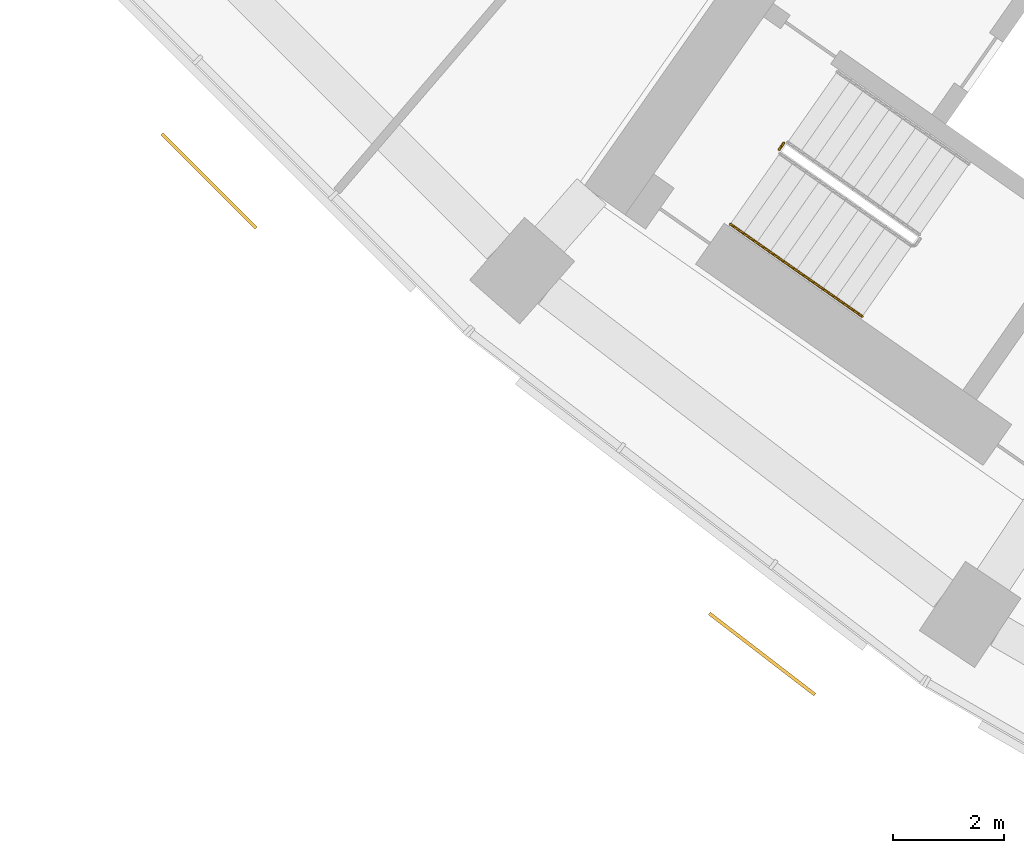
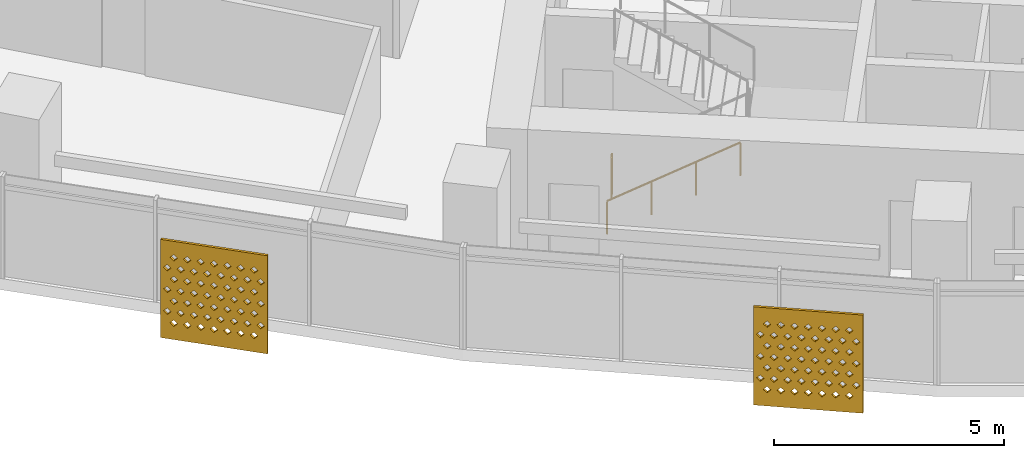
# One storey, part 23 of 29: 2 railings, 2 shading devices.
"""IFC4 building model written with IfcOpenShell, lengths in metres."""

import ifcopenshell
import ifcopenshell.guid

model = None  # the IFC model being written
_history = None  # IfcOwnerHistory: only IFC2X3 demands one
_inside = {}  # id of a spatial element -> (the spatial element, [elements in it])
_under = {}  # id of a project, library or spatial element -> (it, [spatial elements below it])
_declared = {}  # id of a project -> (the project, [libraries it declares])
_typed = {}  # id of a type object -> (the type object, [elements of that type])
_made_of = {}  # id of a material, layer set ... -> (it, [elements and type objects made of it])


def new_model(schema):
    """Start an empty IFC model of exactly this schema.

    Asked for "IFC4X3", IfcOpenShell would pick the latest addendum, in which some entities
    have other attributes; the version numbers below select the first issue.
    IFC2X3 requires an IfcOwnerHistory on every rooted entity: one is made here for all.
    """
    global model, _history
    if schema == "IFC4X3":
        model = ifcopenshell.file(schema_version=(4, 3, 0, 0))
    else:
        model = ifcopenshell.file(schema=schema)
    _inside.clear()
    _under.clear()
    _declared.clear()
    _typed.clear()
    _made_of.clear()
    _history = None
    if model.schema == "IFC2X3":
        org = make("IfcOrganization", Name="unknown")
        user = make(
            "IfcPersonAndOrganization",
            ThePerson=make("IfcPerson", FamilyName="unknown"),
            TheOrganization=org,
        )
        app = make(
            "IfcApplication",
            ApplicationDeveloper=org,
            Version="unknown",
            ApplicationFullName="unknown",
            ApplicationIdentifier="unknown",
        )
        _history = make(
            "IfcOwnerHistory",
            OwningUser=user,
            OwningApplication=app,
            ChangeAction="ADDED",
            CreationDate=0,
        )
    return model


def make(cls, **values):
    """One entity of the class cls with the attributes given. An attribute that is None is left unset."""
    return model.create_entity(
        cls, **{name: value for name, value in values.items() if value is not None}
    )


def rooted(cls, **values):
    """An entity with a GlobalId (a new one), such as an element, a storey or a relation."""
    return make(cls, GlobalId=ifcopenshell.guid.new(), OwnerHistory=_history, **values)


def si_unit(unit_type, name, prefix=None):
    """IfcSIUnit, for example si_unit("LENGTHUNIT", "METRE", prefix="MILLI")."""
    return make("IfcSIUnit", UnitType=unit_type, Prefix=prefix, Name=name)


def assignment(units):
    """IfcUnitAssignment: the units of a project."""
    return None if units is None else make("IfcUnitAssignment", Units=units)


def point(xyz):
    """IfcCartesianPoint."""
    return None if xyz is None else make("IfcCartesianPoint", Coordinates=xyz)


def direction(xyz):
    """IfcDirection."""
    return None if xyz is None else make("IfcDirection", DirectionRatios=xyz)


def frame(location, z_axis=None, x_axis=None):
    """IfcAxis2Placement3D, a coordinate frame: its origin and axes. An axis left out is left unset."""
    return make(
        "IfcAxis2Placement3D",
        Location=point(location),
        Axis=direction(z_axis),
        RefDirection=direction(x_axis),
    )


def frame_2d(location, x_axis=None):
    """IfcAxis2Placement2D, a coordinate frame in the plane: its origin and x axis."""
    return make(
        "IfcAxis2Placement2D", Location=point(location), RefDirection=direction(x_axis)
    )


def origin():
    """The frame at (0, 0, 0) with its axes left unset."""
    return frame((0.0, 0.0, 0.0))


def origin_2d():
    """The frame at (0, 0) in the plane with its x axis left unset."""
    return frame_2d((0.0, 0.0))


def place(relative_to, where):
    """IfcLocalPlacement: puts the frame where relative to a parent placement (None: the world)."""
    return make(
        "IfcLocalPlacement", PlacementRelTo=relative_to, RelativePlacement=where
    )


def context(
    kind, dimensions, precision=None, world=None, true_north=None, identifier=None
):
    """IfcGeometricRepresentationContext, for example the 3D "Model" context."""
    return make(
        "IfcGeometricRepresentationContext",
        ContextIdentifier=identifier,
        ContextType=kind,
        CoordinateSpaceDimension=dimensions,
        Precision=precision,
        WorldCoordinateSystem=world,
        TrueNorth=true_north,
    )


def subcontext(parent, identifier, kind, view, scale=None):
    """IfcGeometricRepresentationSubContext, for example "Body" below "Model"."""
    return make(
        "IfcGeometricRepresentationSubContext",
        ContextIdentifier=identifier,
        ContextType=kind,
        ParentContext=parent,
        TargetScale=scale,
        TargetView=view,
    )


def project(units=None, contexts=None):
    """IfcProject with its units and contexts."""
    return rooted(
        "IfcProject",
        Name="project",
        RepresentationContexts=contexts,
        UnitsInContext=assignment(units),
    )


def spatial(cls, under=None, at=None, **own):
    """A site, building, storey or space (cls), placed at a placement, below another one or the project."""
    s = rooted(cls, ObjectPlacement=at, **own)
    if under is not None:
        _under.setdefault(under.id(), (under, []))[1].append(s)
    return s


def polyline(points):
    """IfcPolyline through the points."""
    return make("IfcPolyline", Points=[point(p) for p in points])


def profile(cls, at=None, kind="AREA", **sizes):
    """A parametric profile (cls). Its sizes go by their IFC names, for example OverallWidth=200.0."""
    return make(cls, ProfileType=kind, Position=at, **sizes)


def circle(**sizes):
    """IfcCircleProfileDef."""
    return profile("IfcCircleProfileDef", **sizes)


def outline(outer, holes=None, kind="AREA"):
    """IfcArbitraryClosedProfileDef: a profile drawn as a closed curve; with holes, ...WithVoids."""
    if holes is None:
        return make("IfcArbitraryClosedProfileDef", ProfileType=kind, OuterCurve=outer)
    return make(
        "IfcArbitraryProfileDefWithVoids",
        ProfileType=kind,
        OuterCurve=outer,
        InnerCurves=holes,
    )


def extrude(swept, where, along, depth):
    """IfcExtrudedAreaSolid: the profile swept, set in the frame where, extruded along a direction by depth."""
    return make(
        "IfcExtrudedAreaSolid",
        SweptArea=swept,
        Position=where,
        ExtrudedDirection=direction(along),
        Depth=depth,
    )


def shape(context_of_items, identifier, shape_type, items):
    """IfcShapeRepresentation: the items that make up one representation, for example the "Body"."""
    return make(
        "IfcShapeRepresentation",
        ContextOfItems=context_of_items,
        RepresentationIdentifier=identifier,
        RepresentationType=shape_type,
        Items=items,
    )


def material(Name=None, Category=None):
    """IfcMaterial."""
    return make("IfcMaterial", Name=Name, Category=Category)


def material_profile(
    of_material, cross_section, Name=None, Category=None, Priority=None
):
    """IfcMaterialProfile: a cross section and its material."""
    return make(
        "IfcMaterialProfile",
        Name=Name,
        Material=of_material,
        Profile=cross_section,
        Priority=Priority,
        Category=Category,
    )


def profile_set(profiles, Name=None, composite=None):
    """IfcMaterialProfileSet."""
    return make(
        "IfcMaterialProfileSet",
        Name=Name,
        MaterialProfiles=profiles,
        CompositeProfile=composite,
    )


def made_of(thing, what):
    """Note that an element or type object is made of a material, layer set ...; save() writes the relation."""
    if what is not None:
        _made_of.setdefault(what.id(), (what, []))[1].append(thing)
    return thing


def type_object(cls, material=None, **own):
    """A type object (cls), such as IfcWallType, which elements share."""
    return made_of(rooted(cls, **own), material)


def element(
    cls,
    number,
    at=None,
    inside=None,
    cuts=None,
    type_object=None,
    material=None,
    context=None,
    identifier="Body",
    shape_type=None,
    held_by="IfcProductDefinitionShape",
    body=None,
    shapes=None,
    **own,
):
    """One element of the class cls, such as IfcWall. Its Tag is "e" and its number.

    at: its placement. inside: the storey or other place that contains it. cuts: it is an
    opening in that element (IfcRelVoidsElement). A single representation is given by context,
    identifier, shape_type and body (its items); several are given by shapes. held_by: the class
    of the entity that holds the representations. save() writes the other relations.
    """
    e = rooted(cls, Tag="e%d" % number, ObjectPlacement=at, **own)
    if body is not None:
        shapes = [shape(context, identifier, shape_type, body)]
    if shapes is not None:
        e.Representation = make(held_by, Representations=shapes)
    if inside is not None:
        _inside.setdefault(inside.id(), (inside, []))[1].append(e)
    if cuts is not None:
        rooted(
            "IfcRelVoidsElement", RelatingBuildingElement=cuts, RelatedOpeningElement=e
        )
    if type_object is not None:
        _typed.setdefault(type_object.id(), (type_object, []))[1].append(e)
    return made_of(e, material)


def aggregate(whole, parts):
    """IfcRelAggregates: a whole, such as a stair, and the parts it consists of."""
    return rooted("IfcRelAggregates", RelatingObject=whole, RelatedObjects=parts)


def save(model, path):
    """Write the relations noted so far, then the file.

    IfcRelAggregates (storeys below a building ...), IfcRelContainedInSpatialStructure (elements
    in a storey), IfcRelDefinesByType, IfcRelAssociatesMaterial and IfcRelDeclares: one each for
    every whole, place, type object, material and project.
    """
    for whole, parts in _under.values():
        aggregate(whole, parts)
    for where, things in _inside.values():
        rooted(
            "IfcRelContainedInSpatialStructure",
            RelatedElements=things,
            RelatingStructure=where,
        )
    for kind, things in _typed.values():
        rooted("IfcRelDefinesByType", RelatedObjects=things, RelatingType=kind)
    for what, things in _made_of.values():
        rooted("IfcRelAssociatesMaterial", RelatedObjects=things, RelatingMaterial=what)
    for by, libraries in _declared.values():
        rooted("IfcRelDeclares", RelatingContext=by, RelatedDefinitions=libraries)
    model.write(path)


model = new_model("IFC4")

# Units and contexts
model_context = context("Model", 3, precision=1e-05, world=origin(), true_north=direction((0.0, 1.0)))
body_context = subcontext(model_context, "Body", "Model", "MODEL_VIEW")
ifc_project = project(units=[si_unit("LENGTHUNIT", "METRE"), si_unit("AREAUNIT", "SQUARE_METRE"), si_unit("VOLUMEUNIT", "CUBIC_METRE"), si_unit("PLANEANGLEUNIT", "RADIAN"), si_unit("MASSUNIT", "GRAM", prefix="KILO")], contexts=[model_context])

# Site, building, storey
site_placement = place(None, origin())
site = spatial("IfcSite", under=ifc_project, at=site_placement, CompositionType="ELEMENT")
building_placement = place(site_placement, origin())
building = spatial("IfcBuilding", under=site, at=building_placement, Name="Qamariyya Broadcast Tower", CompositionType="ELEMENT")
storey_placement = place(building_placement, frame((0.0, 0.0, 113.89990234375)))
storey = spatial("IfcBuildingStorey", under=building, at=storey_placement, Name="L25", CompositionType="ELEMENT", Elevation=113.89990234375)

# Shading devices
ifc_material_1 = material(Name="Perforated glazed terracotta", Category="masonry")
ifc_material_profile = material_profile(ifc_material_1, outline(polyline([(-1.199951171875, -1.300048828125), (1.199951171875, -1.300048828125), (1.199951171875, 1.300048828125), (-1.199951171875, 1.300048828125), (-1.199951171875, -1.300048828125)]), holes=[polyline([(-0.81494140625, -0.86669921875), (-0.89990234375, -0.78173828125), (-0.985107421875, -0.86669921875), (-0.89990234375, -0.95166015625), (-0.81494140625, -0.86669921875)]), polyline([(-0.514892578125, -0.86669921875), (-0.60009765625, -0.78173828125), (-0.68505859375, -0.86669921875), (-0.60009765625, -0.95166015625), (-0.514892578125, -0.86669921875)]), polyline([(-0.215087890625, -0.86669921875), (-0.300048828125, -0.78173828125), (-0.385009765625, -0.86669921875), (-0.300048828125, -0.95166015625), (-0.215087890625, -0.86669921875)]), polyline([(0.0849609375, -0.86669921875), (0.0, -0.78173828125), (-0.0849609375, -0.86669921875), (0.0, -0.95166015625), (0.0849609375, -0.86669921875)]), polyline([(0.385009765625, -0.86669921875), (0.300048828125, -0.78173828125), (0.215087890625, -0.86669921875), (0.300048828125, -0.95166015625), (0.385009765625, -0.86669921875)]), polyline([(0.68505859375, -0.86669921875), (0.60009765625, -0.78173828125), (0.514892578125, -0.86669921875), (0.60009765625, -0.95166015625), (0.68505859375, -0.86669921875)]), polyline([(0.985107421875, -0.86669921875), (0.89990234375, -0.78173828125), (0.81494140625, -0.86669921875), (0.89990234375, -0.95166015625), (0.985107421875, -0.86669921875)]), polyline([(-0.965087890625, -0.577880859375), (-1.050048828125, -0.49267578125), (-1.135009765625, -0.577880859375), (-1.050048828125, -0.662841796875), (-0.965087890625, -0.577880859375)]), polyline([(-0.6650390625, -0.577880859375), (-0.75, -0.49267578125), (-0.8349609375, -0.577880859375), (-0.75, -0.662841796875), (-0.6650390625, -0.577880859375)]), polyline([(-0.364990234375, -0.577880859375), (-0.449951171875, -0.49267578125), (-0.534912109375, -0.577880859375), (-0.449951171875, -0.662841796875), (-0.364990234375, -0.577880859375)]), polyline([(-0.06494140625, -0.577880859375), (-0.14990234375, -0.49267578125), (-0.235107421875, -0.577880859375), (-0.14990234375, -0.662841796875), (-0.06494140625, -0.577880859375)]), polyline([(0.235107421875, -0.577880859375), (0.14990234375, -0.49267578125), (0.06494140625, -0.577880859375), (0.14990234375, -0.662841796875), (0.235107421875, -0.577880859375)]), polyline([(0.534912109375, -0.577880859375), (0.449951171875, -0.49267578125), (0.364990234375, -0.577880859375), (0.449951171875, -0.662841796875), (0.534912109375, -0.577880859375)]), polyline([(0.8349609375, -0.577880859375), (0.75, -0.49267578125), (0.6650390625, -0.577880859375), (0.75, -0.662841796875), (0.8349609375, -0.577880859375)]), polyline([(1.135009765625, -0.577880859375), (1.050048828125, -0.49267578125), (0.965087890625, -0.577880859375), (1.050048828125, -0.662841796875), (1.135009765625, -0.577880859375)]), polyline([(-0.81494140625, -0.288818359375), (-0.89990234375, -0.203857421875), (-0.985107421875, -0.288818359375), (-0.89990234375, -0.373779296875), (-0.81494140625, -0.288818359375)]), polyline([(-0.514892578125, -0.288818359375), (-0.60009765625, -0.203857421875), (-0.68505859375, -0.288818359375), (-0.60009765625, -0.373779296875), (-0.514892578125, -0.288818359375)]), polyline([(-0.215087890625, -0.288818359375), (-0.300048828125, -0.203857421875), (-0.385009765625, -0.288818359375), (-0.300048828125, -0.373779296875), (-0.215087890625, -0.288818359375)]), polyline([(0.0849609375, -0.288818359375), (0.0, -0.203857421875), (-0.0849609375, -0.288818359375), (0.0, -0.373779296875), (0.0849609375, -0.288818359375)]), polyline([(0.385009765625, -0.288818359375), (0.300048828125, -0.203857421875), (0.215087890625, -0.288818359375), (0.300048828125, -0.373779296875), (0.385009765625, -0.288818359375)]), polyline([(0.68505859375, -0.288818359375), (0.60009765625, -0.203857421875), (0.514892578125, -0.288818359375), (0.60009765625, -0.373779296875), (0.68505859375, -0.288818359375)]), polyline([(0.985107421875, -0.288818359375), (0.89990234375, -0.203857421875), (0.81494140625, -0.288818359375), (0.89990234375, -0.373779296875), (0.985107421875, -0.288818359375)]), polyline([(-0.965087890625, 0.0), (-1.050048828125, 0.0849609375), (-1.135009765625, 0.0), (-1.050048828125, -0.0849609375), (-0.965087890625, 0.0)]), polyline([(-0.6650390625, 0.0), (-0.75, 0.0849609375), (-0.8349609375, 0.0), (-0.75, -0.0849609375), (-0.6650390625, 0.0)]), polyline([(-0.364990234375, 0.0), (-0.449951171875, 0.0849609375), (-0.534912109375, 0.0), (-0.449951171875, -0.0849609375), (-0.364990234375, 0.0)]), polyline([(-0.06494140625, 0.0), (-0.14990234375, 0.0849609375), (-0.235107421875, 0.0), (-0.14990234375, -0.0849609375), (-0.06494140625, 0.0)]), polyline([(0.235107421875, 0.0), (0.14990234375, 0.0849609375), (0.06494140625, 0.0), (0.14990234375, -0.0849609375), (0.235107421875, 0.0)]), polyline([(0.534912109375, 0.0), (0.449951171875, 0.0849609375), (0.364990234375, 0.0), (0.449951171875, -0.0849609375), (0.534912109375, 0.0)]), polyline([(0.8349609375, 0.0), (0.75, 0.0849609375), (0.6650390625, 0.0), (0.75, -0.0849609375), (0.8349609375, 0.0)]), polyline([(1.135009765625, 0.0), (1.050048828125, 0.0849609375), (0.965087890625, 0.0), (1.050048828125, -0.0849609375), (1.135009765625, 0.0)]), polyline([(-0.81494140625, 0.288818359375), (-0.89990234375, 0.373779296875), (-0.985107421875, 0.288818359375), (-0.89990234375, 0.203857421875), (-0.81494140625, 0.288818359375)]), polyline([(-0.514892578125, 0.288818359375), (-0.60009765625, 0.373779296875), (-0.68505859375, 0.288818359375), (-0.60009765625, 0.203857421875), (-0.514892578125, 0.288818359375)]), polyline([(-0.215087890625, 0.288818359375), (-0.300048828125, 0.373779296875), (-0.385009765625, 0.288818359375), (-0.300048828125, 0.203857421875), (-0.215087890625, 0.288818359375)]), polyline([(0.0849609375, 0.288818359375), (0.0, 0.373779296875), (-0.0849609375, 0.288818359375), (0.0, 0.203857421875), (0.0849609375, 0.288818359375)]), polyline([(0.385009765625, 0.288818359375), (0.300048828125, 0.373779296875), (0.215087890625, 0.288818359375), (0.300048828125, 0.203857421875), (0.385009765625, 0.288818359375)]), polyline([(0.68505859375, 0.288818359375), (0.60009765625, 0.373779296875), (0.514892578125, 0.288818359375), (0.60009765625, 0.203857421875), (0.68505859375, 0.288818359375)]), polyline([(0.985107421875, 0.288818359375), (0.89990234375, 0.373779296875), (0.81494140625, 0.288818359375), (0.89990234375, 0.203857421875), (0.985107421875, 0.288818359375)]), polyline([(-0.965087890625, 0.577880859375), (-1.050048828125, 0.662841796875), (-1.135009765625, 0.577880859375), (-1.050048828125, 0.49267578125), (-0.965087890625, 0.577880859375)]), polyline([(-0.6650390625, 0.577880859375), (-0.75, 0.662841796875), (-0.8349609375, 0.577880859375), (-0.75, 0.49267578125), (-0.6650390625, 0.577880859375)]), polyline([(-0.364990234375, 0.577880859375), (-0.449951171875, 0.662841796875), (-0.534912109375, 0.577880859375), (-0.449951171875, 0.49267578125), (-0.364990234375, 0.577880859375)]), polyline([(-0.06494140625, 0.577880859375), (-0.14990234375, 0.662841796875), (-0.235107421875, 0.577880859375), (-0.14990234375, 0.49267578125), (-0.06494140625, 0.577880859375)]), polyline([(0.235107421875, 0.577880859375), (0.14990234375, 0.662841796875), (0.06494140625, 0.577880859375), (0.14990234375, 0.49267578125), (0.235107421875, 0.577880859375)]), polyline([(0.534912109375, 0.577880859375), (0.449951171875, 0.662841796875), (0.364990234375, 0.577880859375), (0.449951171875, 0.49267578125), (0.534912109375, 0.577880859375)]), polyline([(0.8349609375, 0.577880859375), (0.75, 0.662841796875), (0.6650390625, 0.577880859375), (0.75, 0.49267578125), (0.8349609375, 0.577880859375)]), polyline([(1.135009765625, 0.577880859375), (1.050048828125, 0.662841796875), (0.965087890625, 0.577880859375), (1.050048828125, 0.49267578125), (1.135009765625, 0.577880859375)]), polyline([(-0.81494140625, 0.86669921875), (-0.89990234375, 0.95166015625), (-0.985107421875, 0.86669921875), (-0.89990234375, 0.78173828125), (-0.81494140625, 0.86669921875)]), polyline([(-0.514892578125, 0.86669921875), (-0.60009765625, 0.95166015625), (-0.68505859375, 0.86669921875), (-0.60009765625, 0.78173828125), (-0.514892578125, 0.86669921875)]), polyline([(-0.215087890625, 0.86669921875), (-0.300048828125, 0.95166015625), (-0.385009765625, 0.86669921875), (-0.300048828125, 0.78173828125), (-0.215087890625, 0.86669921875)]), polyline([(0.0849609375, 0.86669921875), (0.0, 0.95166015625), (-0.0849609375, 0.86669921875), (0.0, 0.78173828125), (0.0849609375, 0.86669921875)]), polyline([(0.385009765625, 0.86669921875), (0.300048828125, 0.95166015625), (0.215087890625, 0.86669921875), (0.300048828125, 0.78173828125), (0.385009765625, 0.86669921875)]), polyline([(0.68505859375, 0.86669921875), (0.60009765625, 0.95166015625), (0.514892578125, 0.86669921875), (0.60009765625, 0.78173828125), (0.68505859375, 0.86669921875)]), polyline([(0.985107421875, 0.86669921875), (0.89990234375, 0.95166015625), (0.81494140625, 0.86669921875), (0.89990234375, 0.78173828125), (0.985107421875, 0.86669921875)])]))
ifc_profile_set = profile_set([ifc_material_profile], Name="Perforated glazed terracotta")
shading_device_type = type_object("IfcShadingDeviceType", Name="Perforated terracotta screen 2400 x 2600", PredefinedType="USERDEFINED", material=ifc_profile_set)
shading_device_1_placement = place(storey_placement, frame((-56.884521484375, -56.818603515625, 1.35009765625), z_axis=(-0.707106781187, -0.707106781187, 0.0), x_axis=(0.707106781187, -0.707106781187, 0.0)))
element("IfcShadingDevice", 1, at=shading_device_1_placement, inside=storey, type_object=shading_device_type, Name="e-scr-L25-03-1", ObjectType="SCREEN", PredefinedType="USERDEFINED", context=body_context, shape_type="SweptSolid", body=[
    extrude(outline(polyline([(-1.199951171875, -1.300048828125), (1.199951171875, -1.300048828125), (1.199951171875, 1.300048828125), (-1.199951171875, 1.300048828125), (-1.199951171875, -1.300048828125)]), holes=[polyline([(-0.81494140625, -0.86669921875), (-0.89990234375, -0.78173828125), (-0.985107421875, -0.86669921875), (-0.89990234375, -0.95166015625), (-0.81494140625, -0.86669921875)]), polyline([(-0.514892578125, -0.86669921875), (-0.60009765625, -0.78173828125), (-0.68505859375, -0.86669921875), (-0.60009765625, -0.95166015625), (-0.514892578125, -0.86669921875)]), polyline([(-0.215087890625, -0.86669921875), (-0.300048828125, -0.78173828125), (-0.385009765625, -0.86669921875), (-0.300048828125, -0.95166015625), (-0.215087890625, -0.86669921875)]), polyline([(0.0849609375, -0.86669921875), (0.0, -0.78173828125), (-0.0849609375, -0.86669921875), (0.0, -0.95166015625), (0.0849609375, -0.86669921875)]), polyline([(0.385009765625, -0.86669921875), (0.300048828125, -0.78173828125), (0.215087890625, -0.86669921875), (0.300048828125, -0.95166015625), (0.385009765625, -0.86669921875)]), polyline([(0.68505859375, -0.86669921875), (0.60009765625, -0.78173828125), (0.514892578125, -0.86669921875), (0.60009765625, -0.95166015625), (0.68505859375, -0.86669921875)]), polyline([(0.985107421875, -0.86669921875), (0.89990234375, -0.78173828125), (0.81494140625, -0.86669921875), (0.89990234375, -0.95166015625), (0.985107421875, -0.86669921875)]), polyline([(-0.965087890625, -0.577880859375), (-1.050048828125, -0.49267578125), (-1.135009765625, -0.577880859375), (-1.050048828125, -0.662841796875), (-0.965087890625, -0.577880859375)]), polyline([(-0.6650390625, -0.577880859375), (-0.75, -0.49267578125), (-0.8349609375, -0.577880859375), (-0.75, -0.662841796875), (-0.6650390625, -0.577880859375)]), polyline([(-0.364990234375, -0.577880859375), (-0.449951171875, -0.49267578125), (-0.534912109375, -0.577880859375), (-0.449951171875, -0.662841796875), (-0.364990234375, -0.577880859375)]), polyline([(-0.06494140625, -0.577880859375), (-0.14990234375, -0.49267578125), (-0.235107421875, -0.577880859375), (-0.14990234375, -0.662841796875), (-0.06494140625, -0.577880859375)]), polyline([(0.235107421875, -0.577880859375), (0.14990234375, -0.49267578125), (0.06494140625, -0.577880859375), (0.14990234375, -0.662841796875), (0.235107421875, -0.577880859375)]), polyline([(0.534912109375, -0.577880859375), (0.449951171875, -0.49267578125), (0.364990234375, -0.577880859375), (0.449951171875, -0.662841796875), (0.534912109375, -0.577880859375)]), polyline([(0.8349609375, -0.577880859375), (0.75, -0.49267578125), (0.6650390625, -0.577880859375), (0.75, -0.662841796875), (0.8349609375, -0.577880859375)]), polyline([(1.135009765625, -0.577880859375), (1.050048828125, -0.49267578125), (0.965087890625, -0.577880859375), (1.050048828125, -0.662841796875), (1.135009765625, -0.577880859375)]), polyline([(-0.81494140625, -0.288818359375), (-0.89990234375, -0.203857421875), (-0.985107421875, -0.288818359375), (-0.89990234375, -0.373779296875), (-0.81494140625, -0.288818359375)]), polyline([(-0.514892578125, -0.288818359375), (-0.60009765625, -0.203857421875), (-0.68505859375, -0.288818359375), (-0.60009765625, -0.373779296875), (-0.514892578125, -0.288818359375)]), polyline([(-0.215087890625, -0.288818359375), (-0.300048828125, -0.203857421875), (-0.385009765625, -0.288818359375), (-0.300048828125, -0.373779296875), (-0.215087890625, -0.288818359375)]), polyline([(0.0849609375, -0.288818359375), (0.0, -0.203857421875), (-0.0849609375, -0.288818359375), (0.0, -0.373779296875), (0.0849609375, -0.288818359375)]), polyline([(0.385009765625, -0.288818359375), (0.300048828125, -0.203857421875), (0.215087890625, -0.288818359375), (0.300048828125, -0.373779296875), (0.385009765625, -0.288818359375)]), polyline([(0.68505859375, -0.288818359375), (0.60009765625, -0.203857421875), (0.514892578125, -0.288818359375), (0.60009765625, -0.373779296875), (0.68505859375, -0.288818359375)]), polyline([(0.985107421875, -0.288818359375), (0.89990234375, -0.203857421875), (0.81494140625, -0.288818359375), (0.89990234375, -0.373779296875), (0.985107421875, -0.288818359375)]), polyline([(-0.965087890625, 0.0), (-1.050048828125, 0.0849609375), (-1.135009765625, 0.0), (-1.050048828125, -0.0849609375), (-0.965087890625, 0.0)]), polyline([(-0.6650390625, 0.0), (-0.75, 0.0849609375), (-0.8349609375, 0.0), (-0.75, -0.0849609375), (-0.6650390625, 0.0)]), polyline([(-0.364990234375, 0.0), (-0.449951171875, 0.0849609375), (-0.534912109375, 0.0), (-0.449951171875, -0.0849609375), (-0.364990234375, 0.0)]), polyline([(-0.06494140625, 0.0), (-0.14990234375, 0.0849609375), (-0.235107421875, 0.0), (-0.14990234375, -0.0849609375), (-0.06494140625, 0.0)]), polyline([(0.235107421875, 0.0), (0.14990234375, 0.0849609375), (0.06494140625, 0.0), (0.14990234375, -0.0849609375), (0.235107421875, 0.0)]), polyline([(0.534912109375, 0.0), (0.449951171875, 0.0849609375), (0.364990234375, 0.0), (0.449951171875, -0.0849609375), (0.534912109375, 0.0)]), polyline([(0.8349609375, 0.0), (0.75, 0.0849609375), (0.6650390625, 0.0), (0.75, -0.0849609375), (0.8349609375, 0.0)]), polyline([(1.135009765625, 0.0), (1.050048828125, 0.0849609375), (0.965087890625, 0.0), (1.050048828125, -0.0849609375), (1.135009765625, 0.0)]), polyline([(-0.81494140625, 0.288818359375), (-0.89990234375, 0.373779296875), (-0.985107421875, 0.288818359375), (-0.89990234375, 0.203857421875), (-0.81494140625, 0.288818359375)]), polyline([(-0.514892578125, 0.288818359375), (-0.60009765625, 0.373779296875), (-0.68505859375, 0.288818359375), (-0.60009765625, 0.203857421875), (-0.514892578125, 0.288818359375)]), polyline([(-0.215087890625, 0.288818359375), (-0.300048828125, 0.373779296875), (-0.385009765625, 0.288818359375), (-0.300048828125, 0.203857421875), (-0.215087890625, 0.288818359375)]), polyline([(0.0849609375, 0.288818359375), (0.0, 0.373779296875), (-0.0849609375, 0.288818359375), (0.0, 0.203857421875), (0.0849609375, 0.288818359375)]), polyline([(0.385009765625, 0.288818359375), (0.300048828125, 0.373779296875), (0.215087890625, 0.288818359375), (0.300048828125, 0.203857421875), (0.385009765625, 0.288818359375)]), polyline([(0.68505859375, 0.288818359375), (0.60009765625, 0.373779296875), (0.514892578125, 0.288818359375), (0.60009765625, 0.203857421875), (0.68505859375, 0.288818359375)]), polyline([(0.985107421875, 0.288818359375), (0.89990234375, 0.373779296875), (0.81494140625, 0.288818359375), (0.89990234375, 0.203857421875), (0.985107421875, 0.288818359375)]), polyline([(-0.965087890625, 0.577880859375), (-1.050048828125, 0.662841796875), (-1.135009765625, 0.577880859375), (-1.050048828125, 0.49267578125), (-0.965087890625, 0.577880859375)]), polyline([(-0.6650390625, 0.577880859375), (-0.75, 0.662841796875), (-0.8349609375, 0.577880859375), (-0.75, 0.49267578125), (-0.6650390625, 0.577880859375)]), polyline([(-0.364990234375, 0.577880859375), (-0.449951171875, 0.662841796875), (-0.534912109375, 0.577880859375), (-0.449951171875, 0.49267578125), (-0.364990234375, 0.577880859375)]), polyline([(-0.06494140625, 0.577880859375), (-0.14990234375, 0.662841796875), (-0.235107421875, 0.577880859375), (-0.14990234375, 0.49267578125), (-0.06494140625, 0.577880859375)]), polyline([(0.235107421875, 0.577880859375), (0.14990234375, 0.662841796875), (0.06494140625, 0.577880859375), (0.14990234375, 0.49267578125), (0.235107421875, 0.577880859375)]), polyline([(0.534912109375, 0.577880859375), (0.449951171875, 0.662841796875), (0.364990234375, 0.577880859375), (0.449951171875, 0.49267578125), (0.534912109375, 0.577880859375)]), polyline([(0.8349609375, 0.577880859375), (0.75, 0.662841796875), (0.6650390625, 0.577880859375), (0.75, 0.49267578125), (0.8349609375, 0.577880859375)]), polyline([(1.135009765625, 0.577880859375), (1.050048828125, 0.662841796875), (0.965087890625, 0.577880859375), (1.050048828125, 0.49267578125), (1.135009765625, 0.577880859375)]), polyline([(-0.81494140625, 0.86669921875), (-0.89990234375, 0.95166015625), (-0.985107421875, 0.86669921875), (-0.89990234375, 0.78173828125), (-0.81494140625, 0.86669921875)]), polyline([(-0.514892578125, 0.86669921875), (-0.60009765625, 0.95166015625), (-0.68505859375, 0.86669921875), (-0.60009765625, 0.78173828125), (-0.514892578125, 0.86669921875)]), polyline([(-0.215087890625, 0.86669921875), (-0.300048828125, 0.95166015625), (-0.385009765625, 0.86669921875), (-0.300048828125, 0.78173828125), (-0.215087890625, 0.86669921875)]), polyline([(0.0849609375, 0.86669921875), (0.0, 0.95166015625), (-0.0849609375, 0.86669921875), (0.0, 0.78173828125), (0.0849609375, 0.86669921875)]), polyline([(0.385009765625, 0.86669921875), (0.300048828125, 0.95166015625), (0.215087890625, 0.86669921875), (0.300048828125, 0.78173828125), (0.385009765625, 0.86669921875)]), polyline([(0.68505859375, 0.86669921875), (0.60009765625, 0.95166015625), (0.514892578125, 0.86669921875), (0.60009765625, 0.78173828125), (0.68505859375, 0.86669921875)]), polyline([(0.985107421875, 0.86669921875), (0.89990234375, 0.95166015625), (0.81494140625, 0.86669921875), (0.89990234375, 0.78173828125), (0.985107421875, 0.86669921875)])]), origin(), (0.0, 0.0, 1.0), 0.06005859375),
])
shading_device_2_placement = place(storey_placement, frame((-46.924072265625, -65.3359375, 1.35009765625), z_axis=(-0.60971076085, -0.792623989105, 0.0), x_axis=(0.792623989105, -0.60971076085, 0.0)))
element("IfcShadingDevice", 2, at=shading_device_2_placement, inside=storey, type_object=shading_device_type, Name="e-scr-L25-04-2", ObjectType="SCREEN", PredefinedType="USERDEFINED", context=body_context, shape_type="SweptSolid", body=[
    extrude(outline(polyline([(-1.199951171875, -1.300048828125), (1.199951171875, -1.300048828125), (1.199951171875, 1.300048828125), (-1.199951171875, 1.300048828125), (-1.199951171875, -1.300048828125)]), holes=[polyline([(-0.81494140625, -0.86669921875), (-0.89990234375, -0.78173828125), (-0.985107421875, -0.86669921875), (-0.89990234375, -0.95166015625), (-0.81494140625, -0.86669921875)]), polyline([(-0.514892578125, -0.86669921875), (-0.60009765625, -0.78173828125), (-0.68505859375, -0.86669921875), (-0.60009765625, -0.95166015625), (-0.514892578125, -0.86669921875)]), polyline([(-0.215087890625, -0.86669921875), (-0.300048828125, -0.78173828125), (-0.385009765625, -0.86669921875), (-0.300048828125, -0.95166015625), (-0.215087890625, -0.86669921875)]), polyline([(0.0849609375, -0.86669921875), (0.0, -0.78173828125), (-0.0849609375, -0.86669921875), (0.0, -0.95166015625), (0.0849609375, -0.86669921875)]), polyline([(0.385009765625, -0.86669921875), (0.300048828125, -0.78173828125), (0.215087890625, -0.86669921875), (0.300048828125, -0.95166015625), (0.385009765625, -0.86669921875)]), polyline([(0.68505859375, -0.86669921875), (0.60009765625, -0.78173828125), (0.514892578125, -0.86669921875), (0.60009765625, -0.95166015625), (0.68505859375, -0.86669921875)]), polyline([(0.985107421875, -0.86669921875), (0.89990234375, -0.78173828125), (0.81494140625, -0.86669921875), (0.89990234375, -0.95166015625), (0.985107421875, -0.86669921875)]), polyline([(-0.965087890625, -0.577880859375), (-1.050048828125, -0.49267578125), (-1.135009765625, -0.577880859375), (-1.050048828125, -0.662841796875), (-0.965087890625, -0.577880859375)]), polyline([(-0.6650390625, -0.577880859375), (-0.75, -0.49267578125), (-0.8349609375, -0.577880859375), (-0.75, -0.662841796875), (-0.6650390625, -0.577880859375)]), polyline([(-0.364990234375, -0.577880859375), (-0.449951171875, -0.49267578125), (-0.534912109375, -0.577880859375), (-0.449951171875, -0.662841796875), (-0.364990234375, -0.577880859375)]), polyline([(-0.06494140625, -0.577880859375), (-0.14990234375, -0.49267578125), (-0.235107421875, -0.577880859375), (-0.14990234375, -0.662841796875), (-0.06494140625, -0.577880859375)]), polyline([(0.235107421875, -0.577880859375), (0.14990234375, -0.49267578125), (0.06494140625, -0.577880859375), (0.14990234375, -0.662841796875), (0.235107421875, -0.577880859375)]), polyline([(0.534912109375, -0.577880859375), (0.449951171875, -0.49267578125), (0.364990234375, -0.577880859375), (0.449951171875, -0.662841796875), (0.534912109375, -0.577880859375)]), polyline([(0.8349609375, -0.577880859375), (0.75, -0.49267578125), (0.6650390625, -0.577880859375), (0.75, -0.662841796875), (0.8349609375, -0.577880859375)]), polyline([(1.135009765625, -0.577880859375), (1.050048828125, -0.49267578125), (0.965087890625, -0.577880859375), (1.050048828125, -0.662841796875), (1.135009765625, -0.577880859375)]), polyline([(-0.81494140625, -0.288818359375), (-0.89990234375, -0.203857421875), (-0.985107421875, -0.288818359375), (-0.89990234375, -0.373779296875), (-0.81494140625, -0.288818359375)]), polyline([(-0.514892578125, -0.288818359375), (-0.60009765625, -0.203857421875), (-0.68505859375, -0.288818359375), (-0.60009765625, -0.373779296875), (-0.514892578125, -0.288818359375)]), polyline([(-0.215087890625, -0.288818359375), (-0.300048828125, -0.203857421875), (-0.385009765625, -0.288818359375), (-0.300048828125, -0.373779296875), (-0.215087890625, -0.288818359375)]), polyline([(0.0849609375, -0.288818359375), (0.0, -0.203857421875), (-0.0849609375, -0.288818359375), (0.0, -0.373779296875), (0.0849609375, -0.288818359375)]), polyline([(0.385009765625, -0.288818359375), (0.300048828125, -0.203857421875), (0.215087890625, -0.288818359375), (0.300048828125, -0.373779296875), (0.385009765625, -0.288818359375)]), polyline([(0.68505859375, -0.288818359375), (0.60009765625, -0.203857421875), (0.514892578125, -0.288818359375), (0.60009765625, -0.373779296875), (0.68505859375, -0.288818359375)]), polyline([(0.985107421875, -0.288818359375), (0.89990234375, -0.203857421875), (0.81494140625, -0.288818359375), (0.89990234375, -0.373779296875), (0.985107421875, -0.288818359375)]), polyline([(-0.965087890625, 0.0), (-1.050048828125, 0.0849609375), (-1.135009765625, 0.0), (-1.050048828125, -0.0849609375), (-0.965087890625, 0.0)]), polyline([(-0.6650390625, 0.0), (-0.75, 0.0849609375), (-0.8349609375, 0.0), (-0.75, -0.0849609375), (-0.6650390625, 0.0)]), polyline([(-0.364990234375, 0.0), (-0.449951171875, 0.0849609375), (-0.534912109375, 0.0), (-0.449951171875, -0.0849609375), (-0.364990234375, 0.0)]), polyline([(-0.06494140625, 0.0), (-0.14990234375, 0.0849609375), (-0.235107421875, 0.0), (-0.14990234375, -0.0849609375), (-0.06494140625, 0.0)]), polyline([(0.235107421875, 0.0), (0.14990234375, 0.0849609375), (0.06494140625, 0.0), (0.14990234375, -0.0849609375), (0.235107421875, 0.0)]), polyline([(0.534912109375, 0.0), (0.449951171875, 0.0849609375), (0.364990234375, 0.0), (0.449951171875, -0.0849609375), (0.534912109375, 0.0)]), polyline([(0.8349609375, 0.0), (0.75, 0.0849609375), (0.6650390625, 0.0), (0.75, -0.0849609375), (0.8349609375, 0.0)]), polyline([(1.135009765625, 0.0), (1.050048828125, 0.0849609375), (0.965087890625, 0.0), (1.050048828125, -0.0849609375), (1.135009765625, 0.0)]), polyline([(-0.81494140625, 0.288818359375), (-0.89990234375, 0.373779296875), (-0.985107421875, 0.288818359375), (-0.89990234375, 0.203857421875), (-0.81494140625, 0.288818359375)]), polyline([(-0.514892578125, 0.288818359375), (-0.60009765625, 0.373779296875), (-0.68505859375, 0.288818359375), (-0.60009765625, 0.203857421875), (-0.514892578125, 0.288818359375)]), polyline([(-0.215087890625, 0.288818359375), (-0.300048828125, 0.373779296875), (-0.385009765625, 0.288818359375), (-0.300048828125, 0.203857421875), (-0.215087890625, 0.288818359375)]), polyline([(0.0849609375, 0.288818359375), (0.0, 0.373779296875), (-0.0849609375, 0.288818359375), (0.0, 0.203857421875), (0.0849609375, 0.288818359375)]), polyline([(0.385009765625, 0.288818359375), (0.300048828125, 0.373779296875), (0.215087890625, 0.288818359375), (0.300048828125, 0.203857421875), (0.385009765625, 0.288818359375)]), polyline([(0.68505859375, 0.288818359375), (0.60009765625, 0.373779296875), (0.514892578125, 0.288818359375), (0.60009765625, 0.203857421875), (0.68505859375, 0.288818359375)]), polyline([(0.985107421875, 0.288818359375), (0.89990234375, 0.373779296875), (0.81494140625, 0.288818359375), (0.89990234375, 0.203857421875), (0.985107421875, 0.288818359375)]), polyline([(-0.965087890625, 0.577880859375), (-1.050048828125, 0.662841796875), (-1.135009765625, 0.577880859375), (-1.050048828125, 0.49267578125), (-0.965087890625, 0.577880859375)]), polyline([(-0.6650390625, 0.577880859375), (-0.75, 0.662841796875), (-0.8349609375, 0.577880859375), (-0.75, 0.49267578125), (-0.6650390625, 0.577880859375)]), polyline([(-0.364990234375, 0.577880859375), (-0.449951171875, 0.662841796875), (-0.534912109375, 0.577880859375), (-0.449951171875, 0.49267578125), (-0.364990234375, 0.577880859375)]), polyline([(-0.06494140625, 0.577880859375), (-0.14990234375, 0.662841796875), (-0.235107421875, 0.577880859375), (-0.14990234375, 0.49267578125), (-0.06494140625, 0.577880859375)]), polyline([(0.235107421875, 0.577880859375), (0.14990234375, 0.662841796875), (0.06494140625, 0.577880859375), (0.14990234375, 0.49267578125), (0.235107421875, 0.577880859375)]), polyline([(0.534912109375, 0.577880859375), (0.449951171875, 0.662841796875), (0.364990234375, 0.577880859375), (0.449951171875, 0.49267578125), (0.534912109375, 0.577880859375)]), polyline([(0.8349609375, 0.577880859375), (0.75, 0.662841796875), (0.6650390625, 0.577880859375), (0.75, 0.49267578125), (0.8349609375, 0.577880859375)]), polyline([(1.135009765625, 0.577880859375), (1.050048828125, 0.662841796875), (0.965087890625, 0.577880859375), (1.050048828125, 0.49267578125), (1.135009765625, 0.577880859375)]), polyline([(-0.81494140625, 0.86669921875), (-0.89990234375, 0.95166015625), (-0.985107421875, 0.86669921875), (-0.89990234375, 0.78173828125), (-0.81494140625, 0.86669921875)]), polyline([(-0.514892578125, 0.86669921875), (-0.60009765625, 0.95166015625), (-0.68505859375, 0.86669921875), (-0.60009765625, 0.78173828125), (-0.514892578125, 0.86669921875)]), polyline([(-0.215087890625, 0.86669921875), (-0.300048828125, 0.95166015625), (-0.385009765625, 0.86669921875), (-0.300048828125, 0.78173828125), (-0.215087890625, 0.86669921875)]), polyline([(0.0849609375, 0.86669921875), (0.0, 0.95166015625), (-0.0849609375, 0.86669921875), (0.0, 0.78173828125), (0.0849609375, 0.86669921875)]), polyline([(0.385009765625, 0.86669921875), (0.300048828125, 0.95166015625), (0.215087890625, 0.86669921875), (0.300048828125, 0.78173828125), (0.385009765625, 0.86669921875)]), polyline([(0.68505859375, 0.86669921875), (0.60009765625, 0.95166015625), (0.514892578125, 0.86669921875), (0.60009765625, 0.78173828125), (0.68505859375, 0.86669921875)]), polyline([(0.985107421875, 0.86669921875), (0.89990234375, 0.95166015625), (0.81494140625, 0.86669921875), (0.89990234375, 0.78173828125), (0.985107421875, 0.86669921875)])]), origin(), (0.0, 0.0, 1.0), 0.06005859375),
])

# Railings
ifc_material_2 = material(Name="Painted steel", Category="steel")
railing_type_1 = type_object("IfcRailingType", Name="Stair guard", PredefinedType="GUARDRAIL", material=ifc_material_2)
railing_1_placement = place(storey_placement, frame((-46.63671875, -56.278076171875, 0.0)))
element("IfcRailing", 3, at=railing_1_placement, inside=storey, type_object=railing_type_1, Name="L25 ST-W1 stair guard 3", PredefinedType="GUARDRAIL", context=body_context, shape_type="SweptSolid", body=[
    extrude(circle(Radius=0.02392578125, at=origin_2d()), frame((0.0, 0.0, 1.076171875), z_axis=(0.574444878118, 0.818543268254, 0.0), x_axis=(-0.818543268254, 0.574444878118, 0.0)), (0.0, 0.0, 1.0), 0.150146484375),
    extrude(circle(Radius=0.02099609375, at=origin_2d()), origin(), (0.0, 0.0, 1.0), 1.052001953125),
    extrude(circle(Radius=0.02099609375, at=origin_2d()), frame((0.086181640625, 0.122802734375, 0.0)), (0.0, 0.0, 1.0), 1.052001953125),
])
ifc_material_3 = material(Name="Stainless steel", Category="steel")
railing_type_2 = type_object("IfcRailingType", Name="Stair handrail", PredefinedType="HANDRAIL", material=ifc_material_3)
railing_2_placement = place(storey_placement, frame((-47.513427734375, -57.617431640625, 0.1728515625)))
element("IfcRailing", 4, at=railing_2_placement, inside=storey, type_object=railing_type_2, Name="L25 ST-W1 stair handrail 1", PredefinedType="HANDRAIL", context=body_context, shape_type="SweptSolid", body=[
    extrude(circle(Radius=0.02392578125, at=origin_2d()), frame((0.0, 0.0, 0.8759765625), z_axis=(0.703770094002, -0.492783725636, 0.511734163933), x_axis=(0.573575343427, 0.819152809562, 0.0)), (0.0, 0.0, 1.0), 3.37548828125),
    extrude(circle(Radius=0.02099609375, at=origin_2d()), origin(), (0.0, 0.0, 1.0), 0.851806640625),
    extrude(circle(Radius=0.02099609375, at=origin_2d()), frame((0.791748046875, -0.554443359375, 0.57568359375)), (0.0, 0.0, 1.0), 0.851806640625),
    extrude(circle(Radius=0.02099609375, at=origin_2d()), frame((1.583740234375, -1.10888671875, 1.151611328125)), (0.0, 0.0, 1.0), 0.851806640625),
    extrude(circle(Radius=0.02099609375, at=origin_2d()), frame((2.37548828125, -1.663330078125, 1.727294921875)), (0.0, 0.0, 1.0), 0.851806640625),
])

save(model, "model.ifc")
